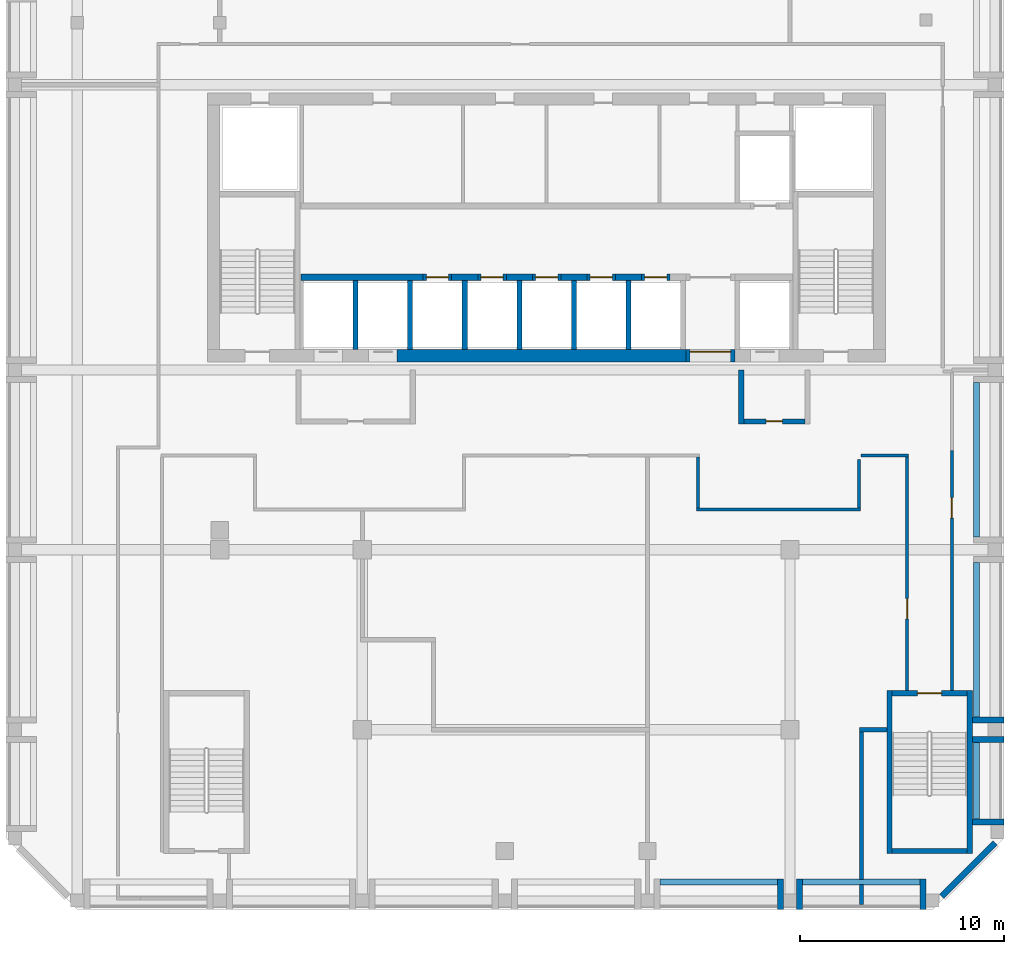
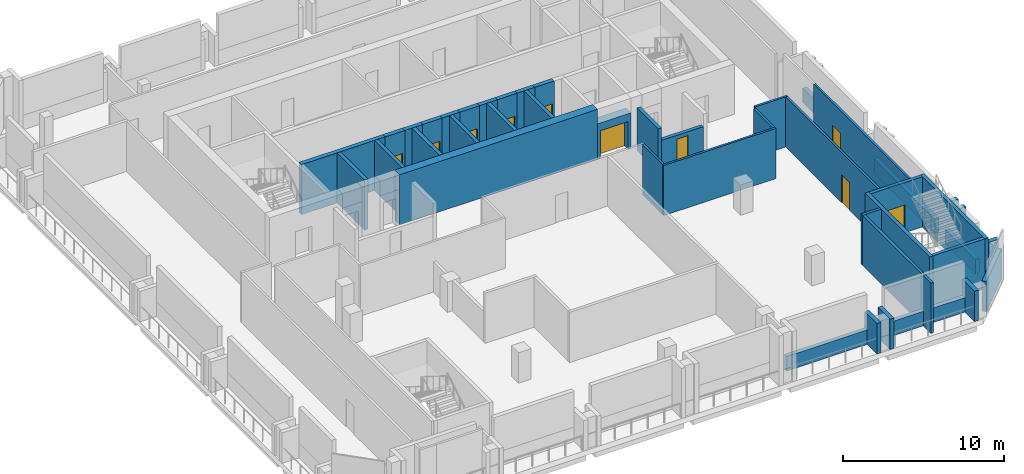
# One storey, part 3 of 7: 45 walls, 10 doors, 10 openings.
"""IFC4 building model written with IfcOpenShell, lengths in metres."""

from ifc_helpers import new_model, si_unit, direction, frame, frame_2d, origin, place, context, subcontext, project, spatial, rectangle, extrude, source, transform, mapped, material, layer, layer_set, type_object, element, fill, save


model = new_model("IFC4")

# Units and contexts
model_context = context("Model", 3, precision=1e-05, world=origin(), true_north=direction((0.0, 1.0)))
body_context = subcontext(model_context, "Body", "Model", "MODEL_VIEW")
ifc_project = project(units=[si_unit("LENGTHUNIT", "METRE"), si_unit("AREAUNIT", "SQUARE_METRE"), si_unit("VOLUMEUNIT", "CUBIC_METRE"), si_unit("PLANEANGLEUNIT", "RADIAN"), si_unit("MASSUNIT", "GRAM", prefix="KILO")], contexts=[model_context])

# Site, building, storey
site_placement = place(None, origin())
site = spatial("IfcSite", under=ifc_project, at=site_placement, CompositionType="ELEMENT")
building_placement = place(site_placement, origin())
building = spatial("IfcBuilding", under=site, at=building_placement, Name="Kilnfold Tower and Market Hall", CompositionType="ELEMENT")
storey_placement = place(building_placement, frame((0.0, 0.0, 290.800048828125)))
storey = spatial("IfcBuildingStorey", under=building, at=storey_placement, Name="L72 Plant Transfer Level", CompositionType="ELEMENT", Elevation=290.800048828125)

# Wall, opening, door
ifc_material_1 = material(Name="Gypsum board on steel studs", Category="steel")
ifc_layer_1 = layer(ifc_material_1, 0.14990234375)
ifc_layer_set_1 = layer_set([ifc_layer_1], Name="Gypsum board on steel studs")
wall_type_1 = type_object("IfcWallType", Name="WALL CORRIDOR 150", PredefinedType="PARTITIONING", material=ifc_layer_set_1)
wall_1_placement = place(storey_placement, frame((18.75, 3.72509765625, 0.0), z_axis=(0.0, 0.0, 1.0), x_axis=(0.0, -1.0, 0.0)))
wall_1 = element("IfcWall", 1, at=wall_1_placement, inside=storey, type_object=wall_type_1, Name="Partition LY44.14", PredefinedType="PARTITIONING", context=body_context, shape_type="SweptSolid", body=[
    extrude(rectangle(XDim=11.47509765625, YDim=0.14990234375, at=frame_2d((5.737548828125, 0.0))), origin(), (0.0, 0.0, 1.0), 3.800048828125),
])
opening_1_placement = place(wall_1_placement, frame((6.949951171875, 0.0, 0.0)))
opening_1 = element("IfcOpeningElement", 2, at=opening_1_placement, cuts=wall_1, Name="Opening D4", PredefinedType="OPENING", context=body_context, shape_type="SweptSolid", body=[
    extrude(rectangle(XDim=1.0, YDim=2.10009765625, at=frame_2d((0.5, 1.050048828125))), frame((0.0, 0.0849609375, 0.0), z_axis=(0.0, -1.0, 0.0), x_axis=(1.0, 0.0, 0.0)), (0.0, 0.0, 1.0), 0.169921875),
])
ifc_material_2 = material(Name="Timber veneer door leaf in steel frame", Category="steel")
door_type_1 = type_object("IfcDoorType", Name="DOOR SERVICE 1000 X2100", OperationType="NOTDEFINED", PredefinedType="DOOR", material=ifc_material_2)
door_1_placement = place(opening_1_placement, origin())
door_1 = element("IfcDoor", 3, at=door_1_placement, inside=storey, type_object=door_type_1, Name="Door D4", OperationType="SINGLE_SWING_RIGHT", OverallHeight=2.10009765625, OverallWidth=1.0, PredefinedType="DOOR", context=body_context, shape_type="SweptSolid", body=[
    extrude(rectangle(XDim=1.0, YDim=2.10009765625, at=frame_2d((0.5, 1.050048828125))), frame((0.0, 0.02490234375, 0.0), z_axis=(0.0, -1.0, 0.0), x_axis=(1.0, 0.0, 0.0)), (0.0, 0.0, 1.0), 0.050048828125),
])
fill(opening_1, door_1)

# Walls
wall_2_placement = place(storey_placement, frame((16.489990234375, 3.800048828125, 0.0), z_axis=(0.0, 0.0, 1.0), x_axis=(1.0, 0.0, 0.0)))
element("IfcWall", 4, at=wall_2_placement, inside=storey, type_object=wall_type_1, Name="Partition LY44.15", PredefinedType="PARTITIONING", context=body_context, shape_type="SweptSolid", body=[
    extrude(rectangle(XDim=2.3349609375, YDim=0.14990234375, at=frame_2d((1.16748046875, 0.0))), origin(), (0.0, 0.0, 1.0), 3.800048828125),
])
wall_3_placement = place(storey_placement, frame((16.3798828125, 1.22509765625, 0.0), z_axis=(0.0, 0.0, 1.0), x_axis=(0.0, 1.0, 0.0)))
element("IfcWall", 5, at=wall_3_placement, inside=storey, type_object=wall_type_1, Name="Partition LY44.16", PredefinedType="PARTITIONING", context=body_context, shape_type="SweptSolid", body=[
    extrude(rectangle(XDim=2.367919921875, YDim=0.14990234375, at=frame_2d((1.18408203125, 0.0))), origin(), (0.0, 0.0, 1.0), 3.800048828125),
])
wall_4_placement = place(storey_placement, frame((8.405029296875, 1.14990234375, 0.0), z_axis=(0.0, 0.0, 1.0), x_axis=(1.0, 0.0, 0.0)))
element("IfcWall", 6, at=wall_4_placement, inside=storey, type_object=wall_type_1, Name="Partition LY44.17", PredefinedType="PARTITIONING", context=body_context, shape_type="SweptSolid", body=[
    extrude(rectangle(XDim=8.050048828125, YDim=0.14990234375, at=frame_2d((4.02490234375, 0.0))), origin(), (0.0, 0.0, 1.0), 3.800048828125),
])
wall_5_placement = place(storey_placement, frame((8.47998046875, 3.72509765625, 0.0), z_axis=(0.0, 0.0, 1.0), x_axis=(0.0, -1.0, 0.0)))
element("IfcWall", 7, at=wall_5_placement, inside=storey, type_object=wall_type_1, Name="Partition LY44.18", PredefinedType="PARTITIONING", context=body_context, shape_type="SweptSolid", body=[
    extrude(rectangle(XDim=2.5, YDim=0.14990234375, at=frame_2d((1.25, 0.0))), origin(), (0.0, 0.0, 1.0), 3.800048828125),
])

# Wall, opening, door
wall_6_placement = place(storey_placement, frame((20.949951171875, -7.75, 0.0), z_axis=(0.0, 0.0, 1.0), x_axis=(0.0, 1.0, 0.0)))
wall_6 = element("IfcWall", 8, at=wall_6_placement, inside=storey, type_object=wall_type_1, Name="Partition LY44.21", PredefinedType="PARTITIONING", context=body_context, shape_type="SweptSolid", body=[
    extrude(rectangle(XDim=11.798095703125, YDim=0.14990234375, at=frame_2d((5.89892578125, 0.0))), origin(), (0.0, 0.0, 1.0), 3.800048828125),
])
opening_2_placement = place(wall_6_placement, frame((8.47802734375, 0.0, 0.0)))
opening_2 = element("IfcOpeningElement", 9, at=opening_2_placement, cuts=wall_6, Name="Opening D4", PredefinedType="OPENING", context=body_context, shape_type="SweptSolid", body=[
    extrude(rectangle(XDim=1.0, YDim=2.10009765625, at=frame_2d((0.5, 1.050048828125))), frame((0.0, 0.0849609375, 0.0), z_axis=(0.0, -1.0, 0.0), x_axis=(1.0, 0.0, 0.0)), (0.0, 0.0, 1.0), 0.169921875),
])
door_2_placement = place(opening_2_placement, origin())
door_2 = element("IfcDoor", 10, at=door_2_placement, inside=storey, type_object=door_type_1, Name="Door D4", OperationType="SINGLE_SWING_LEFT", OverallHeight=2.10009765625, OverallWidth=1.0, PredefinedType="DOOR", context=body_context, shape_type="SweptSolid", body=[
    extrude(rectangle(XDim=1.0, YDim=2.10009765625, at=frame_2d((0.5, 1.050048828125))), frame((0.0, 0.02490234375, 0.0), z_axis=(0.0, -1.0, 0.0), x_axis=(1.0, 0.0, 0.0)), (0.0, 0.0, 1.0), 0.050048828125),
])
fill(opening_2, door_2)

# Walls
ifc_material_3 = material(Name="Gypsum board on steel studs", Category="steel")
ifc_layer_2 = layer(ifc_material_3, 0.199951171875)
ifc_layer_set_2 = layer_set([ifc_layer_2], Name="Gypsum board on steel studs")
wall_type_2 = type_object("IfcWallType", Name="WALL PARTY 200", PredefinedType="PARTITIONING", material=ifc_layer_set_2)
wall_7_placement = place(storey_placement, frame((16.39990234375, -9.6669921875, 0.0), z_axis=(0.0, 0.0, 1.0), x_axis=(1.0, 0.0, 0.0)))
element("IfcWall", 11, at=wall_7_placement, inside=storey, type_object=wall_type_2, Name="Partition LY44.33", PredefinedType="PARTITIONING", context=body_context, shape_type="SweptSolid", body=[
    extrude(rectangle(XDim=1.35009765625, YDim=0.199951171875, at=frame_2d((0.675048828125, 0.0))), origin(), (0.0, 0.0, 1.0), 3.800048828125),
])
wall_8_placement = place(storey_placement, frame((16.5, -18.25, 0.0), z_axis=(0.0, 0.0, 1.0), x_axis=(0.0, 1.0, 0.0)))
element("IfcWall", 12, at=wall_8_placement, inside=storey, type_object=wall_type_2, Name="Partition LY44.34", PredefinedType="PARTITIONING", context=body_context, shape_type="SweptSolid", body=[
    extrude(rectangle(XDim=0.97998046875, YDim=0.199951171875, at=frame_2d((0.489990234375, 0.0))), origin(), (0.0, 0.0, 1.0), 3.800048828125),
])
wall_9_placement = place(storey_placement, frame((16.5, -17.030029296875, 0.0), z_axis=(0.0, 0.0, 1.0), x_axis=(0.0, 1.0, 0.0)))
element("IfcWall", 13, at=wall_9_placement, inside=storey, type_object=wall_type_2, Name="Partition LY44.35", PredefinedType="PARTITIONING", context=body_context, shape_type="SweptSolid", body=[
    extrude(rectangle(XDim=7.262939453125, YDim=0.199951171875, at=frame_2d((3.63134765625, 0.0))), origin(), (0.0, 0.0, 1.0), 3.800048828125),
])
ifc_material_4 = material(Name="Concrete C50", Category="concrete")
ifc_layer_3 = layer(ifc_material_4, 0.25)
ifc_layer_set_3 = layer_set([ifc_layer_3], Name="Concrete C50")
wall_type_3 = type_object("IfcWallType", Name="CORE WALL 250 C50", PredefinedType="SHEAR", material=ifc_layer_set_3)
shared_shape_1 = source(origin(), body_context, "Body", "SweptSolid", [
    extrude(rectangle(XDim=3.699951171875, YDim=0.25, at=frame_2d((1.85009765625, 0.0))), origin(), (0.0, 0.0, 1.0), 3.800048828125),
])
wall_10_placement = place(storey_placement, frame((18.0, -15.625, 0.0), z_axis=(0.0, 0.0, 1.0), x_axis=(1.0, 0.0, 0.0)))
element("IfcWall", 14, at=wall_10_placement, inside=storey, type_object=wall_type_3, Name="Stair enclosure ST4", PredefinedType="SHEAR", context=body_context, shape_type="MappedRepresentation", body=[
    mapped(shared_shape_1, transform((0.0, 0.0, 0.0))),
])

# Wall, opening, door
wall_11_placement = place(storey_placement, frame((18.0, -7.875, 0.0), z_axis=(0.0, 0.0, 1.0), x_axis=(1.0, 0.0, 0.0)))
wall_11 = element("IfcWall", 15, at=wall_11_placement, inside=storey, type_object=wall_type_3, Name="Stair enclosure ST4", PredefinedType="SHEAR", context=body_context, shape_type="MappedRepresentation", body=[
    mapped(shared_shape_1, transform((0.0, 0.0, 0.0))),
])
opening_3_placement = place(wall_11_placement, frame((1.25, 0.0, 0.0)))
opening_3 = element("IfcOpeningElement", 16, at=opening_3_placement, cuts=wall_11, Name="Opening SD1", PredefinedType="OPENING", context=body_context, shape_type="SweptSolid", body=[
    extrude(rectangle(XDim=1.199951171875, YDim=2.10009765625, at=frame_2d((0.60009765625, 1.050048828125))), frame((0.0, 0.135009765625, 0.0), z_axis=(0.0, -1.0, 0.0), x_axis=(1.0, 0.0, 0.0)), (0.0, 0.0, 1.0), 0.27001953125),
])
ifc_material_5 = material(Name="Steel door set with fire-resisting leaf", Category="steel")
door_type_2 = type_object("IfcDoorType", Name="STAIR FLOOR DOOR 1200X2100", OperationType="NOTDEFINED", PredefinedType="DOOR", material=ifc_material_5)
door_3_placement = place(opening_3_placement, origin())
door_3 = element("IfcDoor", 17, at=door_3_placement, inside=storey, type_object=door_type_2, Name="Exit stair ST4 door", OperationType="DOUBLE_DOOR_SINGLE_SWING", OverallHeight=2.10009765625, OverallWidth=1.199951171875, PredefinedType="DOOR", context=body_context, shape_type="SweptSolid", body=[
    extrude(rectangle(XDim=1.199951171875, YDim=2.10009765625, at=frame_2d((0.60009765625, 1.050048828125))), frame((0.0, 0.02490234375, 0.0), z_axis=(0.0, -1.0, 0.0), x_axis=(1.0, 0.0, 0.0)), (0.0, 0.0, 1.0), 0.050048828125),
])
fill(opening_3, door_3)

# Walls
shared_shape_2 = source(origin(), body_context, "Body", "SweptSolid", [
    extrude(rectangle(XDim=8.0, YDim=0.25, at=frame_2d((4.0, 0.0))), origin(), (0.0, 0.0, 1.0), 3.800048828125),
])
for number, where, z_axis, x_axis, name in (
    (18, (17.875, -15.75, 0.0), (0.0, 0.0, 1.0), (0.0, 1.0, 0.0), "Stair enclosure ST4"),
    (19, (21.824951171875, -15.75, 0.0), (0.0, 0.0, 1.0), (0.0, 1.0, 0.0), "Stair enclosure ST4"),
):
    element("IfcWall", number, at=place(storey_placement, frame(where, z_axis=z_axis, x_axis=x_axis)), inside=storey, type_object=wall_type_3, Name=name, PredefinedType="SHEAR", context=body_context, shape_type="MappedRepresentation", body=[
        mapped(shared_shape_2, transform((0.0, 0.0, 0.0))),
    ])
ifc_material_6 = material(Name="Concrete C50", Category="concrete")
ifc_layer_4 = layer(ifc_material_6, 0.300048828125)
ifc_layer_set_4 = layer_set([ifc_layer_4], Name="Concrete C50")
wall_type_4 = type_object("IfcWallType", Name="CORE WALL 300 C50", PredefinedType="SHEAR", material=ifc_layer_set_4)
shared_shape_3 = source(origin(), body_context, "Body", "SweptSolid", [
    extrude(rectangle(XDim=6.0, YDim=0.300048828125, at=frame_2d((3.0, 0.0))), origin(), (0.0, 0.0, 1.0), 3.800048828125),
])
wall_12_placement = place(storey_placement, frame((-11.010009765625, 12.550048828125, 0.0), z_axis=(0.0, 0.0, 1.0), x_axis=(1.0, 0.0, 0.0)))
element("IfcWall", 20, at=wall_12_placement, inside=storey, type_object=wall_type_4, Name="Core spine wall", PredefinedType="SHEAR", context=body_context, shape_type="MappedRepresentation", body=[
    mapped(shared_shape_3, transform((0.0, 0.0, 0.0))),
])
shared_shape_4 = source(origin(), body_context, "Body", "SweptSolid", [
    extrude(rectangle(XDim=1.280029296875, YDim=0.300048828125, at=frame_2d((0.64013671875, 0.0))), origin(), (0.0, 0.0, 1.0), 3.800048828125),
])
for number, where, z_axis, x_axis, name in (
    (21, (-3.610107421875, 12.550048828125, 0.0), (0.0, 0.0, 1.0), (1.0, 0.0, 0.0), "Core spine wall"),
    (22, (-0.929931640625, 12.550048828125, 0.0), (0.0, 0.0, 1.0), (1.0, 0.0, 0.0), "Core spine wall"),
    (23, (1.75, 12.550048828125, 0.0), (0.0, 0.0, 1.0), (1.0, 0.0, 0.0), "Core spine wall"),
    (24, (4.429931640625, 12.550048828125, 0.0), (0.0, 0.0, 1.0), (1.0, 0.0, 0.0), "Core spine wall"),
):
    element("IfcWall", number, at=place(storey_placement, frame(where, z_axis=z_axis, x_axis=x_axis)), inside=storey, type_object=wall_type_4, Name=name, PredefinedType="SHEAR", context=body_context, shape_type="MappedRepresentation", body=[
        mapped(shared_shape_4, transform((0.0, 0.0, 0.0))),
    ])
ifc_material_7 = material(Name="Concrete C50", Category="concrete")
ifc_layer_5 = layer(ifc_material_7, 0.60009765625)
ifc_layer_set_5 = layer_set([ifc_layer_5], Name="Concrete C50")
wall_type_5 = type_object("IfcWallType", Name="CORE WALL 600 C50", PredefinedType="SHEAR", material=ifc_layer_set_5)
shared_shape_5 = source(origin(), body_context, "Body", "SweptSolid", [
    extrude(rectangle(XDim=14.179931640625, YDim=0.60009765625, at=frame_2d((7.08984375, 0.0))), origin(), (0.0, 0.0, 1.0), 3.800048828125),
])
wall_13_placement = place(storey_placement, frame((-6.2900390625, 8.699951171875, 0.0), z_axis=(0.0, 0.0, 1.0), x_axis=(1.0, 0.0, 0.0)))
element("IfcWall", 25, at=wall_13_placement, inside=storey, type_object=wall_type_5, Name="Core outer wall south", PredefinedType="SHEAR", context=body_context, shape_type="MappedRepresentation", body=[
    mapped(shared_shape_5, transform((0.0, 0.0, 0.0))),
])
ifc_material_8 = material(Name="Precast concrete C50/60", Category="concrete")
ifc_layer_6 = layer(ifc_material_8, 0.300048828125)
ifc_layer_set_6 = layer_set([ifc_layer_6], Name="Precast concrete C50/60")
wall_type_6 = type_object("IfcWallType", Name="PRECAST WALL 300", PredefinedType="SOLIDWALL", material=ifc_layer_set_6)
shared_shape_6 = source(origin(), body_context, "Body", "SweptSolid", [
    extrude(rectangle(XDim=1.5, YDim=0.300048828125, at=frame_2d((0.75, 0.0))), origin(), (0.0, 0.0, 1.0), 2.300048828125),
])
for number, where, z_axis, x_axis, name in (
    (26, (12.52490234375, -18.5, 0.0), (0.0, 0.0, 1.0), (0.0, 1.0, 0.0), "Plant wall L72 S"),
    (27, (13.47509765625, -18.5, 0.0), (0.0, 0.0, 1.0), (0.0, 1.0, 0.0), "Plant wall L72 S"),
    (28, (19.52490234375, -18.5, 0.0), (0.0, 0.0, 1.0), (0.0, 1.0, 0.0), "Plant wall L72 S"),
):
    element("IfcWall", number, at=place(storey_placement, frame(where, z_axis=z_axis, x_axis=x_axis)), inside=storey, type_object=wall_type_6, Name=name, PredefinedType="SOLIDWALL", context=body_context, shape_type="MappedRepresentation", body=[
        mapped(shared_shape_6, transform((0.0, 0.0, 0.0))),
    ])
shared_shape_7 = source(origin(), body_context, "Body", "SweptSolid", [
    extrude(rectangle(XDim=5.75, YDim=0.300048828125, at=frame_2d((2.875, 0.0))), origin(), (0.0, 0.0, 1.0), 1.099853515625),
])
for number, where, z_axis, x_axis, name in (
    (29, (6.625, -17.14990234375, 0.0), (0.0, 0.0, 1.0), (1.0, 0.0, 0.0), "Knee wall L72 S"),
    (30, (13.625, -17.14990234375, 0.0), (0.0, 0.0, 1.0), (1.0, 0.0, 0.0), "Knee wall L72 S"),
):
    element("IfcWall", number, at=place(storey_placement, frame(where, z_axis=z_axis, x_axis=x_axis)), inside=storey, type_object=wall_type_6, Name=name, PredefinedType="SOLIDWALL", context=body_context, shape_type="MappedRepresentation", body=[
        mapped(shared_shape_7, transform((0.0, 0.0, 0.0))),
    ])
shared_shape_8 = source(origin(), body_context, "Body", "SweptSolid", [
    extrude(rectangle(XDim=3.71240234375, YDim=0.300048828125, at=frame_2d((1.856201171875, 0.0))), origin(), (0.0, 0.0, 1.0), 2.300048828125),
])
wall_14_placement = place(storey_placement, frame((20.44384765625, -17.843994140625, 0.0), z_axis=(0.0, 0.0, 1.0), x_axis=(0.707106781187, 0.707106781187, 0.0)))
element("IfcWall", 31, at=wall_14_placement, inside=storey, type_object=wall_type_6, Name="Plant wall L72 SE", PredefinedType="SOLIDWALL", context=body_context, shape_type="MappedRepresentation", body=[
    mapped(shared_shape_8, transform((0.0, 0.0, 0.0))),
])
shared_shape_9 = source(origin(), body_context, "Body", "SweptSolid", [
    extrude(rectangle(XDim=3.76513671875, YDim=0.300048828125, at=frame_2d((1.882568359375, 0.0))), origin(), (0.0, 0.0, 1.0), 1.099853515625),
])
wall_15_placement = place(storey_placement, frame((22.14990234375, -14.056884765625, 0.0), z_axis=(0.0, 0.0, 1.0), x_axis=(0.0, 1.0, 0.0)))
element("IfcWall", 32, at=wall_15_placement, inside=storey, type_object=wall_type_6, Name="Knee wall L72 E", PredefinedType="SOLIDWALL", context=body_context, shape_type="MappedRepresentation", body=[
    mapped(shared_shape_9, transform((0.0, 0.0, 0.0))),
])
shared_shape_10 = source(origin(), body_context, "Body", "SweptSolid", [
    extrude(rectangle(XDim=1.550048828125, YDim=0.300048828125, at=frame_2d((0.77490234375, 0.0))), origin(), (0.0, 0.0, 1.0), 2.300048828125),
])
for number, where, z_axis, x_axis, name in (
    (33, (23.5, -14.206787109375, 0.0), (0.0, 0.0, 1.0), (-1.0, 0.0, 0.0), "Plant wall L72 E"),
    (34, (23.5, -10.1416015625, 0.0), (0.0, 0.0, 1.0), (-1.0, 0.0, 0.0), "Plant wall L72 E"),
    (35, (23.5, -9.191650390625, 0.0), (0.0, 0.0, 1.0), (-1.0, 0.0, 0.0), "Plant wall L72 E"),
):
    element("IfcWall", number, at=place(storey_placement, frame(where, z_axis=z_axis, x_axis=x_axis)), inside=storey, type_object=wall_type_6, Name=name, PredefinedType="SOLIDWALL", context=body_context, shape_type="MappedRepresentation", body=[
        mapped(shared_shape_10, transform((0.0, 0.0, 0.0))),
    ])
shared_shape_11 = source(origin(), body_context, "Body", "SweptSolid", [
    extrude(rectangle(XDim=7.58349609375, YDim=0.300048828125, at=frame_2d((3.791748046875, 0.0))), origin(), (0.0, 0.0, 1.0), 1.099853515625),
])
wall_16_placement = place(storey_placement, frame((22.14990234375, -9.041748046875, 0.0), z_axis=(0.0, 0.0, 1.0), x_axis=(0.0, 1.0, 0.0)))
element("IfcWall", 36, at=wall_16_placement, inside=storey, type_object=wall_type_6, Name="Knee wall L72 E", PredefinedType="SOLIDWALL", context=body_context, shape_type="MappedRepresentation", body=[
    mapped(shared_shape_11, transform((0.0, 0.0, 0.0))),
])
shared_shape_12 = source(origin(), body_context, "Body", "SweptSolid", [
    extrude(rectangle(XDim=7.583251953125, YDim=0.300048828125, at=frame_2d((3.79150390625, 0.0))), origin(), (0.0, 0.0, 1.0), 1.099853515625),
])
wall_17_placement = place(storey_placement, frame((22.14990234375, -0.208251953125, 0.0), z_axis=(0.0, 0.0, 1.0), x_axis=(0.0, 1.0, 0.0)))
element("IfcWall", 37, at=wall_17_placement, inside=storey, type_object=wall_type_6, Name="Knee wall L72 E", PredefinedType="SOLIDWALL", context=body_context, shape_type="MappedRepresentation", body=[
    mapped(shared_shape_12, transform((0.0, 0.0, 0.0))),
])

# Wall, opening, door
ifc_material_9 = material(Name="Gypsum shaft wall system")
ifc_layer_7 = layer(ifc_material_9, 0.300048828125)
ifc_layer_set_7 = layer_set([ifc_layer_7], Name="Gypsum shaft wall system")
wall_type_7 = type_object("IfcWallType", Name="SHAFT WALL 300", PredefinedType="PARTITIONING", material=ifc_layer_set_7)
shared_shape_13 = source(origin(), body_context, "Body", "SweptSolid", [
    extrude(rectangle(XDim=1.39990234375, YDim=0.300048828125, at=frame_2d((0.699951171875, 0.0))), origin(), (0.0, 0.0, 1.0), 3.800048828125),
])
wall_18_placement = place(storey_placement, frame((-5.010009765625, 12.550048828125, 0.0), z_axis=(0.0, 0.0, 1.0), x_axis=(1.0, 0.0, 0.0)))
wall_18 = element("IfcWall", 38, at=wall_18_placement, inside=storey, type_object=wall_type_7, Name="Lift shaft front wall", PredefinedType="PARTITIONING", context=body_context, shape_type="MappedRepresentation", body=[
    mapped(shared_shape_13, transform((0.0, 0.0, 0.0))),
])
opening_4_placement = place(wall_18_placement, frame((0.14990234375, 0.0, 0.0)))
opening_4 = element("IfcOpeningElement", 39, at=opening_4_placement, cuts=wall_18, Name="Opening LD2", PredefinedType="OPENING", context=body_context, shape_type="SweptSolid", body=[
    extrude(rectangle(XDim=1.10009765625, YDim=2.10009765625, at=frame_2d((0.550048828125, 1.050048828125))), frame((0.0, 0.16015625, 0.0), z_axis=(0.0, -1.0, 0.0), x_axis=(1.0, 0.0, 0.0)), (0.0, 0.0, 1.0), 0.320068359375),
])
ifc_material_10 = material(Name="Steel door set with fire-resisting leaf", Category="steel")
door_type_3 = type_object("IfcDoorType", Name="LANDING DOOR 1100X2100", OperationType="NOTDEFINED", PredefinedType="DOOR", material=ifc_material_10)
door_4_placement = place(opening_4_placement, origin())
door_4 = element("IfcDoor", 40, at=door_4_placement, inside=storey, type_object=door_type_3, Name="Landing door HR1", OperationType="DOUBLE_DOOR_SLIDING", OverallHeight=2.10009765625, OverallWidth=1.10009765625, PredefinedType="DOOR", context=body_context, shape_type="SweptSolid", body=[
    extrude(rectangle(XDim=1.10009765625, YDim=2.10009765625, at=frame_2d((0.550048828125, 1.050048828125))), frame((0.0, 0.02490234375, 0.0), z_axis=(0.0, -1.0, 0.0), x_axis=(1.0, 0.0, 0.0)), (0.0, 0.0, 1.0), 0.050048828125),
])
fill(opening_4, door_4)

wall_19_placement = place(storey_placement, frame((0.35009765625, 12.550048828125, 0.0), z_axis=(0.0, 0.0, 1.0), x_axis=(1.0, 0.0, 0.0)))
wall_19 = element("IfcWall", 41, at=wall_19_placement, inside=storey, type_object=wall_type_7, Name="Lift shaft front wall", PredefinedType="PARTITIONING", context=body_context, shape_type="MappedRepresentation", body=[
    mapped(shared_shape_13, transform((0.0, 0.0, 0.0))),
])
opening_5_placement = place(wall_19_placement, frame((0.14990234375, 0.0, 0.0)))
opening_5 = element("IfcOpeningElement", 42, at=opening_5_placement, cuts=wall_19, Name="Opening LD2", PredefinedType="OPENING", context=body_context, shape_type="SweptSolid", body=[
    extrude(rectangle(XDim=1.10009765625, YDim=2.10009765625, at=frame_2d((0.550048828125, 1.050048828125))), frame((0.0, 0.16015625, 0.0), z_axis=(0.0, -1.0, 0.0), x_axis=(1.0, 0.0, 0.0)), (0.0, 0.0, 1.0), 0.320068359375),
])
door_5_placement = place(opening_5_placement, origin())
door_5 = element("IfcDoor", 43, at=door_5_placement, inside=storey, type_object=door_type_3, Name="Landing door HR3", OperationType="DOUBLE_DOOR_SLIDING", OverallHeight=2.10009765625, OverallWidth=1.10009765625, PredefinedType="DOOR", context=body_context, shape_type="SweptSolid", body=[
    extrude(rectangle(XDim=1.10009765625, YDim=2.10009765625, at=frame_2d((0.550048828125, 1.050048828125))), frame((0.0, 0.02490234375, 0.0), z_axis=(0.0, -1.0, 0.0), x_axis=(1.0, 0.0, 0.0)), (0.0, 0.0, 1.0), 0.050048828125),
])
fill(opening_5, door_5)

wall_20_placement = place(storey_placement, frame((3.030029296875, 12.550048828125, 0.0), z_axis=(0.0, 0.0, 1.0), x_axis=(1.0, 0.0, 0.0)))
wall_20 = element("IfcWall", 44, at=wall_20_placement, inside=storey, type_object=wall_type_7, Name="Lift shaft front wall", PredefinedType="PARTITIONING", context=body_context, shape_type="MappedRepresentation", body=[
    mapped(shared_shape_13, transform((0.0, 0.0, 0.0))),
])
opening_6_placement = place(wall_20_placement, frame((0.14990234375, 0.0, 0.0)))
opening_6 = element("IfcOpeningElement", 45, at=opening_6_placement, cuts=wall_20, Name="Opening LD2", PredefinedType="OPENING", context=body_context, shape_type="SweptSolid", body=[
    extrude(rectangle(XDim=1.10009765625, YDim=2.10009765625, at=frame_2d((0.550048828125, 1.050048828125))), frame((0.0, 0.16015625, 0.0), z_axis=(0.0, -1.0, 0.0), x_axis=(1.0, 0.0, 0.0)), (0.0, 0.0, 1.0), 0.320068359375),
])
door_6_placement = place(opening_6_placement, origin())
door_6 = element("IfcDoor", 46, at=door_6_placement, inside=storey, type_object=door_type_3, Name="Landing door HR4", OperationType="DOUBLE_DOOR_SLIDING", OverallHeight=2.10009765625, OverallWidth=1.10009765625, PredefinedType="DOOR", context=body_context, shape_type="SweptSolid", body=[
    extrude(rectangle(XDim=1.10009765625, YDim=2.10009765625, at=frame_2d((0.550048828125, 1.050048828125))), frame((0.0, 0.02490234375, 0.0), z_axis=(0.0, -1.0, 0.0), x_axis=(1.0, 0.0, 0.0)), (0.0, 0.0, 1.0), 0.050048828125),
])
fill(opening_6, door_6)

shared_shape_14 = source(origin(), body_context, "Body", "SweptSolid", [
    extrude(rectangle(XDim=1.400146484375, YDim=0.300048828125, at=frame_2d((0.7001953125, 0.0))), origin(), (0.0, 0.0, 1.0), 3.800048828125),
])
wall_21_placement = place(storey_placement, frame((-2.330078125, 12.550048828125, 0.0), z_axis=(0.0, 0.0, 1.0), x_axis=(1.0, 0.0, 0.0)))
wall_21 = element("IfcWall", 47, at=wall_21_placement, inside=storey, type_object=wall_type_7, Name="Lift shaft front wall", PredefinedType="PARTITIONING", context=body_context, shape_type="MappedRepresentation", body=[
    mapped(shared_shape_14, transform((0.0, 0.0, 0.0))),
])
opening_7_placement = place(wall_21_placement, frame((0.14990234375, 0.0, 0.0)))
opening_7 = element("IfcOpeningElement", 48, at=opening_7_placement, cuts=wall_21, Name="Opening LD2", PredefinedType="OPENING", context=body_context, shape_type="SweptSolid", body=[
    extrude(rectangle(XDim=1.10009765625, YDim=2.10009765625, at=frame_2d((0.550048828125, 1.050048828125))), frame((0.0, 0.16015625, 0.0), z_axis=(0.0, -1.0, 0.0), x_axis=(1.0, 0.0, 0.0)), (0.0, 0.0, 1.0), 0.320068359375),
])
door_7_placement = place(opening_7_placement, origin())
door_7 = element("IfcDoor", 49, at=door_7_placement, inside=storey, type_object=door_type_3, Name="Landing door HR2", OperationType="DOUBLE_DOOR_SLIDING", OverallHeight=2.10009765625, OverallWidth=1.10009765625, PredefinedType="DOOR", context=body_context, shape_type="SweptSolid", body=[
    extrude(rectangle(XDim=1.10009765625, YDim=2.10009765625, at=frame_2d((0.550048828125, 1.050048828125))), frame((0.0, 0.02490234375, 0.0), z_axis=(0.0, -1.0, 0.0), x_axis=(1.0, 0.0, 0.0)), (0.0, 0.0, 1.0), 0.050048828125),
])
fill(opening_7, door_7)

wall_22_placement = place(storey_placement, frame((5.7099609375, 12.550048828125, 0.0), z_axis=(0.0, 0.0, 1.0), x_axis=(1.0, 0.0, 0.0)))
wall_22 = element("IfcWall", 50, at=wall_22_placement, inside=storey, type_object=wall_type_7, Name="Lift shaft front wall", PredefinedType="PARTITIONING", context=body_context, shape_type="MappedRepresentation", body=[
    mapped(shared_shape_14, transform((0.0, 0.0, 0.0))),
])
opening_8_placement = place(wall_22_placement, frame((0.14990234375, 0.0, 0.0)))
opening_8 = element("IfcOpeningElement", 51, at=opening_8_placement, cuts=wall_22, Name="Opening LD2", PredefinedType="OPENING", context=body_context, shape_type="SweptSolid", body=[
    extrude(rectangle(XDim=1.10009765625, YDim=2.10009765625, at=frame_2d((0.550048828125, 1.050048828125))), frame((0.0, 0.16015625, 0.0), z_axis=(0.0, -1.0, 0.0), x_axis=(1.0, 0.0, 0.0)), (0.0, 0.0, 1.0), 0.320068359375),
])
door_8_placement = place(opening_8_placement, origin())
door_8 = element("IfcDoor", 52, at=door_8_placement, inside=storey, type_object=door_type_3, Name="Landing door HR5", OperationType="DOUBLE_DOOR_SLIDING", OverallHeight=2.10009765625, OverallWidth=1.10009765625, PredefinedType="DOOR", context=body_context, shape_type="SweptSolid", body=[
    extrude(rectangle(XDim=1.10009765625, YDim=2.10009765625, at=frame_2d((0.550048828125, 1.050048828125))), frame((0.0, 0.02490234375, 0.0), z_axis=(0.0, -1.0, 0.0), x_axis=(1.0, 0.0, 0.0)), (0.0, 0.0, 1.0), 0.050048828125),
])
fill(opening_8, door_8)

# Walls
ifc_material_11 = material(Name="Gypsum shaft wall system")
ifc_layer_8 = layer(ifc_material_11, 0.25)
ifc_layer_set_8 = layer_set([ifc_layer_8], Name="Gypsum shaft wall system")
wall_type_8 = type_object("IfcWallType", Name="SHAFT WALL 250", PredefinedType="PARTITIONING", material=ifc_layer_set_8)
shared_shape_15 = source(origin(), body_context, "Body", "SweptSolid", [
    extrude(rectangle(XDim=3.39990234375, YDim=0.25, at=frame_2d((1.699951171875, 0.0))), origin(), (0.0, 0.0, 1.0), 3.800048828125),
])
for number, where, z_axis, x_axis, name in (
    (53, (2.389892578125, 9.0, 0.0), (0.0, 0.0, 1.0), (0.0, 1.0, 0.0), "Lift shaft wall"),
    (54, (5.070068359375, 9.0, 0.0), (0.0, 0.0, 1.0), (0.0, 1.0, 0.0), "Lift shaft wall"),
    (55, (-0.2900390625, 9.0, 0.0), (0.0, 0.0, 1.0), (0.0, 1.0, 0.0), "Lift shaft wall"),
    (56, (-2.969970703125, 9.0, 0.0), (0.0, 0.0, 1.0), (0.0, 1.0, 0.0), "Lift shaft wall"),
    (57, (-5.64990234375, 9.0, 0.0), (0.0, 0.0, 1.0), (0.0, 1.0, 0.0), "Lift shaft wall"),
    (58, (-8.330078125, 9.0, 0.0), (0.0, 0.0, 1.0), (0.0, 1.0, 0.0), "Lift shaft wall"),
):
    element("IfcWall", number, at=place(storey_placement, frame(where, z_axis=z_axis, x_axis=x_axis)), inside=storey, type_object=wall_type_8, Name=name, PredefinedType="PARTITIONING", context=body_context, shape_type="MappedRepresentation", body=[
        mapped(shared_shape_15, transform((0.0, 0.0, 0.0))),
    ])

# Wall, opening, door
ifc_material_12 = material(Name="Gypsum shaft wall system")
ifc_layer_9 = layer(ifc_material_12, 0.60009765625)
ifc_layer_set_9 = layer_set([ifc_layer_9], Name="Gypsum shaft wall system")
wall_type_9 = type_object("IfcWallType", Name="LOBBY WALL 600", PredefinedType="PARTITIONING", material=ifc_layer_set_9)
shared_shape_16 = source(origin(), body_context, "Body", "SweptSolid", [
    extrude(rectangle(XDim=2.400146484375, YDim=0.60009765625, at=frame_2d((1.2001953125, 0.0))), origin(), (0.0, 0.0, 1.0), 2.699951171875),
])
wall_23_placement = place(storey_placement, frame((7.889892578125, 8.699951171875, 0.0), z_axis=(0.0, 0.0, 1.0), x_axis=(1.0, 0.0, 0.0)))
wall_23 = element("IfcWall", 59, at=wall_23_placement, inside=storey, type_object=wall_type_9, Name="Core wall infill", PredefinedType="PARTITIONING", context=body_context, shape_type="MappedRepresentation", body=[
    mapped(shared_shape_16, transform((0.0, 0.0, 0.0))),
])
opening_9_placement = place(wall_23_placement, frame((0.199951171875, 0.0, 0.0)))
opening_9 = element("IfcOpeningElement", 60, at=opening_9_placement, cuts=wall_23, Name="Opening VD2", PredefinedType="OPENING", context=body_context, shape_type="SweptSolid", body=[
    extrude(rectangle(XDim=2.0, YDim=2.10009765625, at=frame_2d((1.0, 1.050048828125))), frame((0.0, 0.31005859375, 0.0), z_axis=(0.0, -1.0, 0.0), x_axis=(1.0, 0.0, 0.0)), (0.0, 0.0, 1.0), 0.6201171875),
])
ifc_material_13 = material(Name="Steel door set with fire-resisting leaf", Category="steel")
door_type_4 = type_object("IfcDoorType", Name="LIFT LOBBY ENTRANCE DOOR 2000X2100", OperationType="NOTDEFINED", PredefinedType="DOOR", material=ifc_material_13)
door_9_placement = place(opening_9_placement, origin())
door_9 = element("IfcDoor", 61, at=door_9_placement, inside=storey, type_object=door_type_4, Name="Lift lobby entrance door", OperationType="DOUBLE_DOOR_SINGLE_SWING", OverallHeight=2.10009765625, OverallWidth=2.0, PredefinedType="DOOR", context=body_context, shape_type="SweptSolid", body=[
    extrude(rectangle(XDim=2.0, YDim=2.10009765625, at=frame_2d((1.0, 1.050048828125))), frame((0.0, 0.205078125, 0.0), z_axis=(0.0, -1.0, 0.0), x_axis=(1.0, 0.0, 0.0)), (0.0, 0.0, 1.0), 0.050048828125),
])
fill(opening_9, door_9)

# Wall
ifc_material_14 = material(Name="Gypsum shaft wall system")
ifc_layer_10 = layer(ifc_material_14, 0.25)
ifc_layer_set_10 = layer_set([ifc_layer_10], Name="Gypsum shaft wall system")
wall_type_10 = type_object("IfcWallType", Name="LOBBY WALL 250", PredefinedType="PARTITIONING", material=ifc_layer_set_10)
shared_shape_17 = source(origin(), body_context, "Body", "SweptSolid", [
    extrude(rectangle(XDim=2.64990234375, YDim=0.25, at=frame_2d((1.324951171875, 0.0))), origin(), (0.0, 0.0, 1.0), 3.25),
])
wall_24_placement = place(storey_placement, frame((10.60498046875, 5.35009765625, 0.0), z_axis=(0.0, 0.0, 1.0), x_axis=(0.0, 1.0, 0.0)))
element("IfcWall", 62, at=wall_24_placement, inside=storey, type_object=wall_type_10, Name="Firefighting lobby wall", PredefinedType="PARTITIONING", context=body_context, shape_type="MappedRepresentation", body=[
    mapped(shared_shape_17, transform((0.0, 0.0, 0.0))),
])

# Wall, opening, door
shared_shape_18 = source(origin(), body_context, "Body", "SweptSolid", [
    extrude(rectangle(XDim=3.0, YDim=0.25, at=frame_2d((1.5, 0.0))), origin(), (0.0, 0.0, 1.0), 2.300048828125),
])
wall_25_placement = place(storey_placement, frame((10.72998046875, 5.47509765625, 0.0), z_axis=(0.0, 0.0, 1.0), x_axis=(1.0, 0.0, 0.0)))
wall_25 = element("IfcWall", 63, at=wall_25_placement, inside=storey, type_object=wall_type_10, Name="Firefighting lobby wall", PredefinedType="PARTITIONING", context=body_context, shape_type="MappedRepresentation", body=[
    mapped(shared_shape_18, transform((0.0, 0.0, 0.0))),
])
opening_10_placement = place(wall_25_placement, frame((1.10009765625, 0.0, 0.0)))
opening_10 = element("IfcOpeningElement", 64, at=opening_10_placement, cuts=wall_25, Name="Opening VD1", PredefinedType="OPENING", context=body_context, shape_type="SweptSolid", body=[
    extrude(rectangle(XDim=0.800048828125, YDim=2.0, at=frame_2d((0.39990234375, 1.0))), frame((0.0, 0.135009765625, 0.0), z_axis=(0.0, -1.0, 0.0), x_axis=(1.0, 0.0, 0.0)), (0.0, 0.0, 1.0), 0.27001953125),
])
ifc_material_15 = material(Name="Steel door set with fire-resisting leaf", Category="steel")
door_type_5 = type_object("IfcDoorType", Name="FIREFIGHTING LOBBY DOOR 800X2000", OperationType="NOTDEFINED", PredefinedType="DOOR", material=ifc_material_15)
door_10_placement = place(opening_10_placement, origin())
door_10 = element("IfcDoor", 65, at=door_10_placement, inside=storey, type_object=door_type_5, Name="Firefighting lobby door", OperationType="SINGLE_SWING_RIGHT", OverallHeight=2.0, OverallWidth=0.800048828125, PredefinedType="DOOR", context=body_context, shape_type="SweptSolid", body=[
    extrude(rectangle(XDim=0.800048828125, YDim=2.0, at=frame_2d((0.39990234375, 1.0))), frame((0.0, 0.02490234375, 0.0), z_axis=(0.0, -1.0, 0.0), x_axis=(1.0, 0.0, 0.0)), (0.0, 0.0, 1.0), 0.050048828125),
])
fill(opening_10, door_10)

save(model, "model.ifc")
